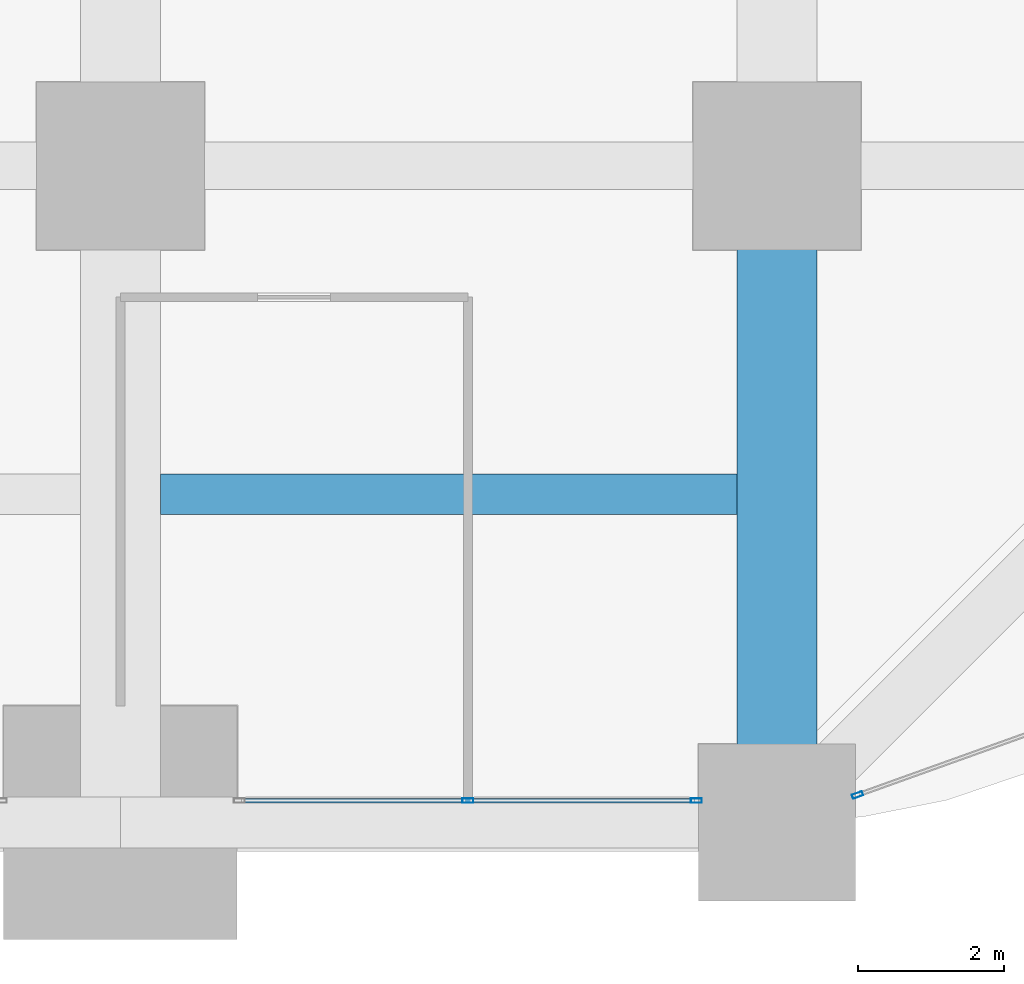
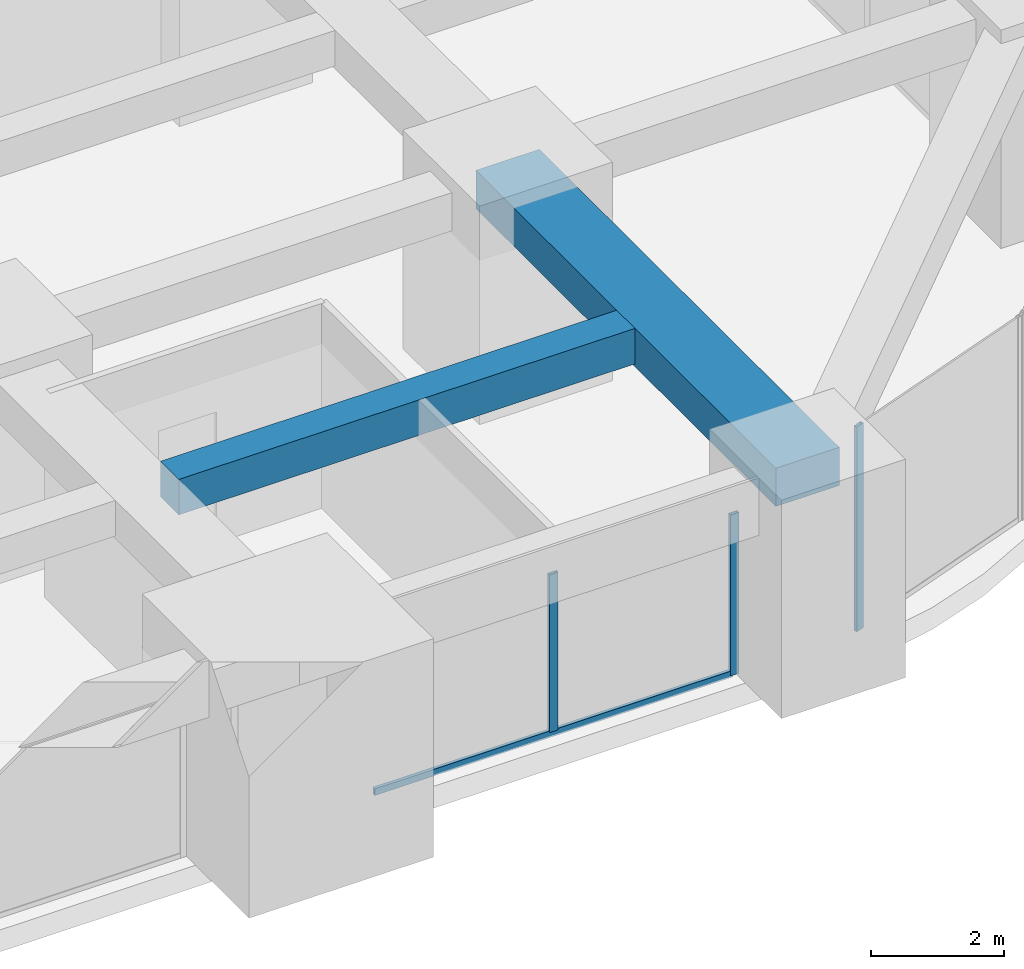
# One storey, part 16 of 50: 4 members, 2 beams, 2 elements without a shape of their own.
"""IFC4 building model written with IfcOpenShell, lengths in metres."""

import ifcopenshell
import ifcopenshell.guid

model = None  # the IFC model being written
_history = None  # IfcOwnerHistory: only IFC2X3 demands one
_inside = {}  # id of a spatial element -> (the spatial element, [elements in it])
_under = {}  # id of a project, library or spatial element -> (it, [spatial elements below it])
_declared = {}  # id of a project -> (the project, [libraries it declares])
_typed = {}  # id of a type object -> (the type object, [elements of that type])
_made_of = {}  # id of a material, layer set ... -> (it, [elements and type objects made of it])


def new_model(schema):
    """Start an empty IFC model of exactly this schema.

    Asked for "IFC4X3", IfcOpenShell would pick the latest addendum, in which some entities
    have other attributes; the version numbers below select the first issue.
    IFC2X3 requires an IfcOwnerHistory on every rooted entity: one is made here for all.
    """
    global model, _history
    if schema == "IFC4X3":
        model = ifcopenshell.file(schema_version=(4, 3, 0, 0))
    else:
        model = ifcopenshell.file(schema=schema)
    _inside.clear()
    _under.clear()
    _declared.clear()
    _typed.clear()
    _made_of.clear()
    _history = None
    if model.schema == "IFC2X3":
        org = make("IfcOrganization", Name="unknown")
        user = make(
            "IfcPersonAndOrganization",
            ThePerson=make("IfcPerson", FamilyName="unknown"),
            TheOrganization=org,
        )
        app = make(
            "IfcApplication",
            ApplicationDeveloper=org,
            Version="unknown",
            ApplicationFullName="unknown",
            ApplicationIdentifier="unknown",
        )
        _history = make(
            "IfcOwnerHistory",
            OwningUser=user,
            OwningApplication=app,
            ChangeAction="ADDED",
            CreationDate=0,
        )
    return model


def make(cls, **values):
    """One entity of the class cls with the attributes given. An attribute that is None is left unset."""
    return model.create_entity(
        cls, **{name: value for name, value in values.items() if value is not None}
    )


def rooted(cls, **values):
    """An entity with a GlobalId (a new one), such as an element, a storey or a relation."""
    return make(cls, GlobalId=ifcopenshell.guid.new(), OwnerHistory=_history, **values)


def si_unit(unit_type, name, prefix=None):
    """IfcSIUnit, for example si_unit("LENGTHUNIT", "METRE", prefix="MILLI")."""
    return make("IfcSIUnit", UnitType=unit_type, Prefix=prefix, Name=name)


def assignment(units):
    """IfcUnitAssignment: the units of a project."""
    return None if units is None else make("IfcUnitAssignment", Units=units)


def point(xyz):
    """IfcCartesianPoint."""
    return None if xyz is None else make("IfcCartesianPoint", Coordinates=xyz)


def direction(xyz):
    """IfcDirection."""
    return None if xyz is None else make("IfcDirection", DirectionRatios=xyz)


def frame(location, z_axis=None, x_axis=None):
    """IfcAxis2Placement3D, a coordinate frame: its origin and axes. An axis left out is left unset."""
    return make(
        "IfcAxis2Placement3D",
        Location=point(location),
        Axis=direction(z_axis),
        RefDirection=direction(x_axis),
    )


def frame_2d(location, x_axis=None):
    """IfcAxis2Placement2D, a coordinate frame in the plane: its origin and x axis."""
    return make(
        "IfcAxis2Placement2D", Location=point(location), RefDirection=direction(x_axis)
    )


def origin():
    """The frame at (0, 0, 0) with its axes left unset."""
    return frame((0.0, 0.0, 0.0))


def origin_2d():
    """The frame at (0, 0) in the plane with its x axis left unset."""
    return frame_2d((0.0, 0.0))


def place(relative_to, where):
    """IfcLocalPlacement: puts the frame where relative to a parent placement (None: the world)."""
    return make(
        "IfcLocalPlacement", PlacementRelTo=relative_to, RelativePlacement=where
    )


def context(
    kind, dimensions, precision=None, world=None, true_north=None, identifier=None
):
    """IfcGeometricRepresentationContext, for example the 3D "Model" context."""
    return make(
        "IfcGeometricRepresentationContext",
        ContextIdentifier=identifier,
        ContextType=kind,
        CoordinateSpaceDimension=dimensions,
        Precision=precision,
        WorldCoordinateSystem=world,
        TrueNorth=true_north,
    )


def subcontext(parent, identifier, kind, view, scale=None):
    """IfcGeometricRepresentationSubContext, for example "Body" below "Model"."""
    return make(
        "IfcGeometricRepresentationSubContext",
        ContextIdentifier=identifier,
        ContextType=kind,
        ParentContext=parent,
        TargetScale=scale,
        TargetView=view,
    )


def project(units=None, contexts=None):
    """IfcProject with its units and contexts."""
    return rooted(
        "IfcProject",
        Name="project",
        RepresentationContexts=contexts,
        UnitsInContext=assignment(units),
    )


def spatial(cls, under=None, at=None, **own):
    """A site, building, storey or space (cls), placed at a placement, below another one or the project."""
    s = rooted(cls, ObjectPlacement=at, **own)
    if under is not None:
        _under.setdefault(under.id(), (under, []))[1].append(s)
    return s


def profile(cls, at=None, kind="AREA", **sizes):
    """A parametric profile (cls). Its sizes go by their IFC names, for example OverallWidth=200.0."""
    return make(cls, ProfileType=kind, Position=at, **sizes)


def rectangle(**sizes):
    """IfcRectangleProfileDef."""
    return profile("IfcRectangleProfileDef", **sizes)


def hollow_rectangle(**sizes):
    """IfcRectangleHollowProfileDef."""
    return profile("IfcRectangleHollowProfileDef", **sizes)


def extrude(swept, where, along, depth):
    """IfcExtrudedAreaSolid: the profile swept, set in the frame where, extruded along a direction by depth."""
    return make(
        "IfcExtrudedAreaSolid",
        SweptArea=swept,
        Position=where,
        ExtrudedDirection=direction(along),
        Depth=depth,
    )


def shape(context_of_items, identifier, shape_type, items):
    """IfcShapeRepresentation: the items that make up one representation, for example the "Body"."""
    return make(
        "IfcShapeRepresentation",
        ContextOfItems=context_of_items,
        RepresentationIdentifier=identifier,
        RepresentationType=shape_type,
        Items=items,
    )


def material(Name=None, Category=None):
    """IfcMaterial."""
    return make("IfcMaterial", Name=Name, Category=Category)


def material_profile(
    of_material, cross_section, Name=None, Category=None, Priority=None
):
    """IfcMaterialProfile: a cross section and its material."""
    return make(
        "IfcMaterialProfile",
        Name=Name,
        Material=of_material,
        Profile=cross_section,
        Priority=Priority,
        Category=Category,
    )


def profile_set(profiles, Name=None, composite=None):
    """IfcMaterialProfileSet."""
    return make(
        "IfcMaterialProfileSet",
        Name=Name,
        MaterialProfiles=profiles,
        CompositeProfile=composite,
    )


def made_of(thing, what):
    """Note that an element or type object is made of a material, layer set ...; save() writes the relation."""
    if what is not None:
        _made_of.setdefault(what.id(), (what, []))[1].append(thing)
    return thing


def type_object(cls, material=None, **own):
    """A type object (cls), such as IfcWallType, which elements share."""
    return made_of(rooted(cls, **own), material)


def element(
    cls,
    number,
    at=None,
    inside=None,
    cuts=None,
    type_object=None,
    material=None,
    context=None,
    identifier="Body",
    shape_type=None,
    held_by="IfcProductDefinitionShape",
    body=None,
    shapes=None,
    **own,
):
    """One element of the class cls, such as IfcWall. Its Tag is "e" and its number.

    at: its placement. inside: the storey or other place that contains it. cuts: it is an
    opening in that element (IfcRelVoidsElement). A single representation is given by context,
    identifier, shape_type and body (its items); several are given by shapes. held_by: the class
    of the entity that holds the representations. save() writes the other relations.
    """
    e = rooted(cls, Tag="e%d" % number, ObjectPlacement=at, **own)
    if body is not None:
        shapes = [shape(context, identifier, shape_type, body)]
    if shapes is not None:
        e.Representation = make(held_by, Representations=shapes)
    if inside is not None:
        _inside.setdefault(inside.id(), (inside, []))[1].append(e)
    if cuts is not None:
        rooted(
            "IfcRelVoidsElement", RelatingBuildingElement=cuts, RelatedOpeningElement=e
        )
    if type_object is not None:
        _typed.setdefault(type_object.id(), (type_object, []))[1].append(e)
    return made_of(e, material)


def aggregate(whole, parts):
    """IfcRelAggregates: a whole, such as a stair, and the parts it consists of."""
    return rooted("IfcRelAggregates", RelatingObject=whole, RelatedObjects=parts)


def save(model, path):
    """Write the relations noted so far, then the file.

    IfcRelAggregates (storeys below a building ...), IfcRelContainedInSpatialStructure (elements
    in a storey), IfcRelDefinesByType, IfcRelAssociatesMaterial and IfcRelDeclares: one each for
    every whole, place, type object, material and project.
    """
    for whole, parts in _under.values():
        aggregate(whole, parts)
    for where, things in _inside.values():
        rooted(
            "IfcRelContainedInSpatialStructure",
            RelatedElements=things,
            RelatingStructure=where,
        )
    for kind, things in _typed.values():
        rooted("IfcRelDefinesByType", RelatedObjects=things, RelatingType=kind)
    for what, things in _made_of.values():
        rooted("IfcRelAssociatesMaterial", RelatedObjects=things, RelatingMaterial=what)
    for by, libraries in _declared.values():
        rooted("IfcRelDeclares", RelatingContext=by, RelatedDefinitions=libraries)
    model.write(path)


model = new_model("IFC4")

# Units and contexts
model_context = context("Model", 3, precision=1e-05, world=origin(), true_north=direction((0.0, 1.0)))
body_context = subcontext(model_context, "Body", "Model", "MODEL_VIEW")
ifc_project = project(units=[si_unit("LENGTHUNIT", "METRE"), si_unit("AREAUNIT", "SQUARE_METRE"), si_unit("VOLUMEUNIT", "CUBIC_METRE"), si_unit("PLANEANGLEUNIT", "RADIAN"), si_unit("MASSUNIT", "GRAM", prefix="KILO")], contexts=[model_context])

# Site, building, storey
site_placement = place(None, origin())
site = spatial("IfcSite", under=ifc_project, at=site_placement, CompositionType="ELEMENT")
building_placement = place(site_placement, origin())
building = spatial("IfcBuilding", under=site, at=building_placement, Name="Zorevar Civic Tower", CompositionType="ELEMENT")
storey_placement = place(building_placement, frame((0.0, 0.0, 85.0)))
storey = spatial("IfcBuildingStorey", under=building, at=storey_placement, Name="L20", CompositionType="ELEMENT", Elevation=85.0)

# Beams
ifc_material_1 = material(Name="Concrete C50/60", Category="concrete")
ifc_material_profile_1 = material_profile(ifc_material_1, rectangle(XDim=1.10009765625, YDim=0.699951171875, at=origin_2d()), Name="RC 1100x700")
ifc_profile_set_1 = profile_set([ifc_material_profile_1], Name="Concrete C50/60")
beam_type_1 = type_object("IfcBeamType", Name="Beam RC 1100x700", PredefinedType="BEAM", material=ifc_profile_set_1)
beam_1_placement = place(storey_placement, frame((54.0, 0.0, 3.39990234375), z_axis=(0.0, 1.0, 0.0), x_axis=(-1.0, 0.0, 0.0)))
element("IfcBeam", 1, at=beam_1_placement, inside=storey, type_object=beam_type_1, Name="Girder L21", PredefinedType="BEAM", context=body_context, shape_type="SweptSolid", body=[
    extrude(rectangle(XDim=1.10009765625, YDim=0.699951171875, at=origin_2d()), origin(), (0.0, 0.0, 1.0), 9.0),
])
ifc_material_2 = material(Name="Concrete C50/60", Category="concrete")
ifc_material_profile_2 = material_profile(ifc_material_2, rectangle(XDim=0.550048828125, YDim=0.64990234375, at=origin_2d()), Name="RC 550x650")
ifc_profile_set_2 = profile_set([ifc_material_profile_2], Name="Concrete C50/60")
beam_type_2 = type_object("IfcBeamType", Name="Beam RC 550x650", PredefinedType="BEAM", material=ifc_profile_set_2)
beam_2_placement = place(storey_placement, frame((45.550048828125, 4.5, 3.425048828125), z_axis=(1.0, 0.0, 0.0), x_axis=(0.0, 1.0, 0.0)))
element("IfcBeam", 2, at=beam_2_placement, inside=storey, type_object=beam_type_2, Name="Secondary beam L21", PredefinedType="BEAM", context=body_context, shape_type="SweptSolid", body=[
    extrude(rectangle(XDim=0.550048828125, YDim=0.64990234375, at=origin_2d()), origin(), (0.0, 0.0, 1.0), 7.89990234375),
])

# Curtain wall, members
ifc_material_3 = material(Name="Dark grey solar-control glass in black aluminium frame", Category="aluminium")
curtain_wall_type = type_object("IfcCurtainWallType", Name="Curtain wall CW3 mid zone", PredefinedType="NOTDEFINED", material=ifc_material_3)
curtain_wall_1_placement = place(storey_placement, origin())
curtain_wall_1 = element("IfcCurtainWall", 3, at=curtain_wall_1_placement, inside=storey, type_object=curtain_wall_type, Name="CW3 L20", PredefinedType="NOTDEFINED")
ifc_material_4 = material(Name="Aluminium, black anodised", Category="aluminium")
ifc_material_profile_3 = material_profile(ifc_material_4, hollow_rectangle(XDim=0.06005859375, YDim=0.14990234375, WallThickness=0.00390625, at=origin_2d()), Name="AL 150x60x4")
ifc_profile_set_3 = profile_set([ifc_material_profile_3], Name="Aluminium, black anodised")
member_type_1 = type_object("IfcMemberType", Name="CW3 mullion AL 150x60x4", PredefinedType="MULLION", material=ifc_profile_set_3)
member_1_placement = place(storey_placement, frame((49.762451171875, 0.300048828125, 0.06005859375), z_axis=(0.0, 0.0, 1.0), x_axis=(0.0, 1.0, 0.0)))
member_1 = element("IfcMember", 4, at=member_1_placement, type_object=member_type_1, Name="CW3 mullion 2", PredefinedType="MULLION", context=body_context, shape_type="SweptSolid", body=[
    extrude(hollow_rectangle(XDim=0.06005859375, YDim=0.14990234375, WallThickness=0.00390625, at=origin_2d()), origin(), (0.0, 0.0, 1.0), 2.889892578125),
])
member_2_placement = place(storey_placement, frame((52.89501953125, 0.300048828125, 0.0), z_axis=(0.0, 0.0, 1.0), x_axis=(0.0, 1.0, 0.0)))
member_2 = element("IfcMember", 5, at=member_2_placement, type_object=member_type_1, Name="CW3 mullion 3", PredefinedType="MULLION", context=body_context, shape_type="SweptSolid", body=[
    extrude(hollow_rectangle(XDim=0.06005859375, YDim=0.14990234375, WallThickness=0.00390625, at=origin_2d()), origin(), (0.0, 0.0, 1.0), 2.949951171875),
])

# Curtain wall, member
curtain_wall_2_placement = place(storey_placement, origin())
curtain_wall_2 = element("IfcCurtainWall", 6, at=curtain_wall_2_placement, inside=storey, type_object=curtain_wall_type, Name="CW3 L20", PredefinedType="NOTDEFINED")
member_3_placement = place(storey_placement, frame((55.103271484375, 0.376953125, 0.0), z_axis=(0.0, 0.0, 1.0), x_axis=(-0.337622523614, 0.941281589934, 0.0)))
member_3 = element("IfcMember", 7, at=member_3_placement, type_object=member_type_1, Name="CW3 mullion 1", PredefinedType="MULLION", context=body_context, shape_type="SweptSolid", body=[
    extrude(hollow_rectangle(XDim=0.06005859375, YDim=0.14990234375, WallThickness=0.00390625, at=origin_2d()), origin(), (0.0, 0.0, 1.0), 3.75),
])
aggregate(curtain_wall_2, [member_3])

# Member
ifc_material_5 = material(Name="Aluminium, black anodised", Category="aluminium")
ifc_material_profile_4 = material_profile(ifc_material_5, hollow_rectangle(XDim=0.06005859375, YDim=0.1201171875, WallThickness=0.0029296875, at=origin_2d()), Name="AL 120x60x3")
ifc_profile_set_4 = profile_set([ifc_material_profile_4], Name="Aluminium, black anodised")
member_type_2 = type_object("IfcMemberType", Name="CW3 transom AL 120x60x3", PredefinedType="USERDEFINED", material=ifc_profile_set_4)
member_4_placement = place(storey_placement, frame((46.659912109375, 0.300048828125, 0.030029296875), z_axis=(1.0, 0.0, 0.0), x_axis=(0.0, 1.0, 0.0)))
member_4 = element("IfcMember", 8, at=member_4_placement, type_object=member_type_2, Name="CW3 sill transom", ObjectType="TRANSOM", PredefinedType="USERDEFINED", context=body_context, shape_type="SweptSolid", body=[
    extrude(hollow_rectangle(XDim=0.06005859375, YDim=0.1201171875, WallThickness=0.0029296875, at=origin_2d()), origin(), (0.0, 0.0, 1.0), 6.205078125),
])

aggregate(curtain_wall_1, [member_1, member_2, member_4])

save(model, "model.ifc")
